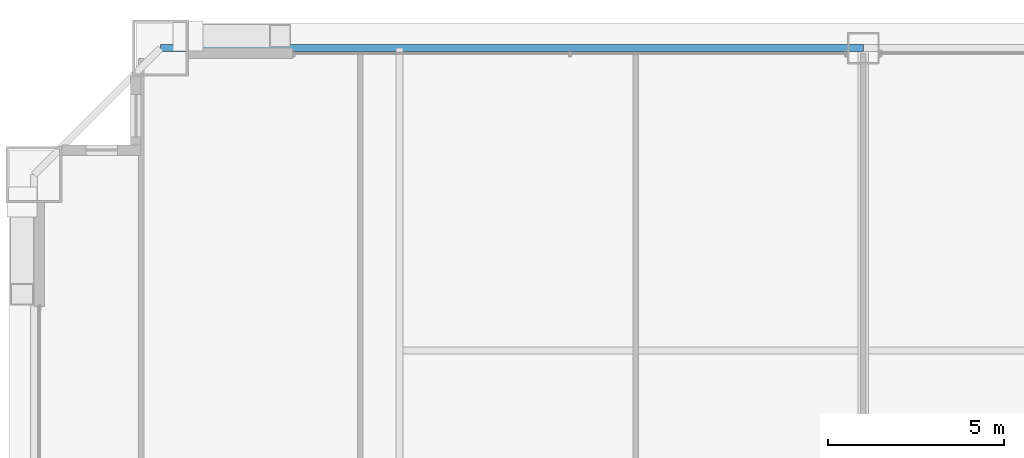
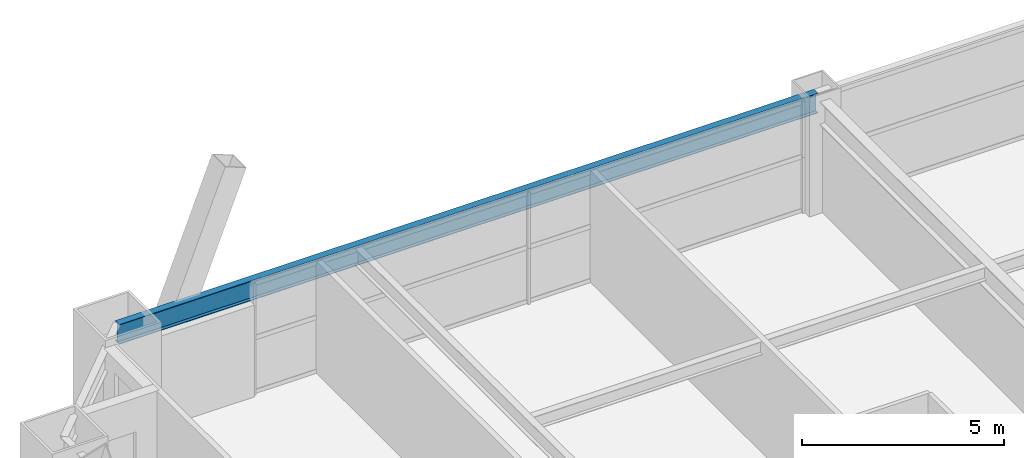
# One storey, part 28 of 43: 1 beam.
"""IFC4 building model written with IfcOpenShell, lengths in metres."""

import ifcopenshell
import ifcopenshell.guid

model = None  # the IFC model being written
_history = None  # IfcOwnerHistory: only IFC2X3 demands one
_inside = {}  # id of a spatial element -> (the spatial element, [elements in it])
_under = {}  # id of a project, library or spatial element -> (it, [spatial elements below it])
_declared = {}  # id of a project -> (the project, [libraries it declares])
_typed = {}  # id of a type object -> (the type object, [elements of that type])
_made_of = {}  # id of a material, layer set ... -> (it, [elements and type objects made of it])


def new_model(schema):
    """Start an empty IFC model of exactly this schema.

    Asked for "IFC4X3", IfcOpenShell would pick the latest addendum, in which some entities
    have other attributes; the version numbers below select the first issue.
    IFC2X3 requires an IfcOwnerHistory on every rooted entity: one is made here for all.
    """
    global model, _history
    if schema == "IFC4X3":
        model = ifcopenshell.file(schema_version=(4, 3, 0, 0))
    else:
        model = ifcopenshell.file(schema=schema)
    _inside.clear()
    _under.clear()
    _declared.clear()
    _typed.clear()
    _made_of.clear()
    _history = None
    if model.schema == "IFC2X3":
        org = make("IfcOrganization", Name="unknown")
        user = make(
            "IfcPersonAndOrganization",
            ThePerson=make("IfcPerson", FamilyName="unknown"),
            TheOrganization=org,
        )
        app = make(
            "IfcApplication",
            ApplicationDeveloper=org,
            Version="unknown",
            ApplicationFullName="unknown",
            ApplicationIdentifier="unknown",
        )
        _history = make(
            "IfcOwnerHistory",
            OwningUser=user,
            OwningApplication=app,
            ChangeAction="ADDED",
            CreationDate=0,
        )
    return model


def make(cls, **values):
    """One entity of the class cls with the attributes given. An attribute that is None is left unset."""
    return model.create_entity(
        cls, **{name: value for name, value in values.items() if value is not None}
    )


def rooted(cls, **values):
    """An entity with a GlobalId (a new one), such as an element, a storey or a relation."""
    return make(cls, GlobalId=ifcopenshell.guid.new(), OwnerHistory=_history, **values)


def si_unit(unit_type, name, prefix=None):
    """IfcSIUnit, for example si_unit("LENGTHUNIT", "METRE", prefix="MILLI")."""
    return make("IfcSIUnit", UnitType=unit_type, Prefix=prefix, Name=name)


def assignment(units):
    """IfcUnitAssignment: the units of a project."""
    return None if units is None else make("IfcUnitAssignment", Units=units)


def point(xyz):
    """IfcCartesianPoint."""
    return None if xyz is None else make("IfcCartesianPoint", Coordinates=xyz)


def direction(xyz):
    """IfcDirection."""
    return None if xyz is None else make("IfcDirection", DirectionRatios=xyz)


def frame(location, z_axis=None, x_axis=None):
    """IfcAxis2Placement3D, a coordinate frame: its origin and axes. An axis left out is left unset."""
    return make(
        "IfcAxis2Placement3D",
        Location=point(location),
        Axis=direction(z_axis),
        RefDirection=direction(x_axis),
    )


def frame_2d(location, x_axis=None):
    """IfcAxis2Placement2D, a coordinate frame in the plane: its origin and x axis."""
    return make(
        "IfcAxis2Placement2D", Location=point(location), RefDirection=direction(x_axis)
    )


def origin():
    """The frame at (0, 0, 0) with its axes left unset."""
    return frame((0.0, 0.0, 0.0))


def origin_2d():
    """The frame at (0, 0) in the plane with its x axis left unset."""
    return frame_2d((0.0, 0.0))


def place(relative_to, where):
    """IfcLocalPlacement: puts the frame where relative to a parent placement (None: the world)."""
    return make(
        "IfcLocalPlacement", PlacementRelTo=relative_to, RelativePlacement=where
    )


def context(
    kind, dimensions, precision=None, world=None, true_north=None, identifier=None
):
    """IfcGeometricRepresentationContext, for example the 3D "Model" context."""
    return make(
        "IfcGeometricRepresentationContext",
        ContextIdentifier=identifier,
        ContextType=kind,
        CoordinateSpaceDimension=dimensions,
        Precision=precision,
        WorldCoordinateSystem=world,
        TrueNorth=true_north,
    )


def subcontext(parent, identifier, kind, view, scale=None):
    """IfcGeometricRepresentationSubContext, for example "Body" below "Model"."""
    return make(
        "IfcGeometricRepresentationSubContext",
        ContextIdentifier=identifier,
        ContextType=kind,
        ParentContext=parent,
        TargetScale=scale,
        TargetView=view,
    )


def project(units=None, contexts=None):
    """IfcProject with its units and contexts."""
    return rooted(
        "IfcProject",
        Name="project",
        RepresentationContexts=contexts,
        UnitsInContext=assignment(units),
    )


def spatial(cls, under=None, at=None, **own):
    """A site, building, storey or space (cls), placed at a placement, below another one or the project."""
    s = rooted(cls, ObjectPlacement=at, **own)
    if under is not None:
        _under.setdefault(under.id(), (under, []))[1].append(s)
    return s


def profile(cls, at=None, kind="AREA", **sizes):
    """A parametric profile (cls). Its sizes go by their IFC names, for example OverallWidth=200.0."""
    return make(cls, ProfileType=kind, Position=at, **sizes)


def i_section(**sizes):
    """IfcIShapeProfileDef."""
    return profile("IfcIShapeProfileDef", **sizes)


def extrude(swept, where, along, depth):
    """IfcExtrudedAreaSolid: the profile swept, set in the frame where, extruded along a direction by depth."""
    return make(
        "IfcExtrudedAreaSolid",
        SweptArea=swept,
        Position=where,
        ExtrudedDirection=direction(along),
        Depth=depth,
    )


def shape(context_of_items, identifier, shape_type, items):
    """IfcShapeRepresentation: the items that make up one representation, for example the "Body"."""
    return make(
        "IfcShapeRepresentation",
        ContextOfItems=context_of_items,
        RepresentationIdentifier=identifier,
        RepresentationType=shape_type,
        Items=items,
    )


def source(mapping_origin, context_of_items, identifier, shape_type, items):
    """IfcRepresentationMap: a shape defined once, which mapped items show again and again."""
    return make(
        "IfcRepresentationMap",
        MappingOrigin=mapping_origin,
        MappedRepresentation=shape(context_of_items, identifier, shape_type, items),
    )


def transform(
    local_origin,
    x_axis=None,
    y_axis=None,
    z_axis=None,
    scale=None,
    scale2=None,
    scale3=None,
    uniform=True,
):
    """IfcCartesianTransformationOperator3D, or its non-uniform kind. x_axis, y_axis, z_axis: its Axis1, 2, 3."""
    if uniform:
        return make(
            "IfcCartesianTransformationOperator3D",
            Axis1=direction(x_axis),
            Axis2=direction(y_axis),
            LocalOrigin=point(local_origin),
            Scale=scale,
            Axis3=direction(z_axis),
        )
    return make(
        "IfcCartesianTransformationOperator3DnonUniform",
        Axis1=direction(x_axis),
        Axis2=direction(y_axis),
        LocalOrigin=point(local_origin),
        Scale=scale,
        Axis3=direction(z_axis),
        Scale2=scale2,
        Scale3=scale3,
    )


def mapped(mapping_source, mapping_target):
    """IfcMappedItem: shows the shape of a source again, moved by a transform."""
    return make(
        "IfcMappedItem", MappingSource=mapping_source, MappingTarget=mapping_target
    )


def material(Name=None, Category=None):
    """IfcMaterial."""
    return make("IfcMaterial", Name=Name, Category=Category)


def material_profile(
    of_material, cross_section, Name=None, Category=None, Priority=None
):
    """IfcMaterialProfile: a cross section and its material."""
    return make(
        "IfcMaterialProfile",
        Name=Name,
        Material=of_material,
        Profile=cross_section,
        Priority=Priority,
        Category=Category,
    )


def profile_set(profiles, Name=None, composite=None):
    """IfcMaterialProfileSet."""
    return make(
        "IfcMaterialProfileSet",
        Name=Name,
        MaterialProfiles=profiles,
        CompositeProfile=composite,
    )


def made_of(thing, what):
    """Note that an element or type object is made of a material, layer set ...; save() writes the relation."""
    if what is not None:
        _made_of.setdefault(what.id(), (what, []))[1].append(thing)
    return thing


def type_object(cls, material=None, **own):
    """A type object (cls), such as IfcWallType, which elements share."""
    return made_of(rooted(cls, **own), material)


def element(
    cls,
    number,
    at=None,
    inside=None,
    cuts=None,
    type_object=None,
    material=None,
    context=None,
    identifier="Body",
    shape_type=None,
    held_by="IfcProductDefinitionShape",
    body=None,
    shapes=None,
    **own,
):
    """One element of the class cls, such as IfcWall. Its Tag is "e" and its number.

    at: its placement. inside: the storey or other place that contains it. cuts: it is an
    opening in that element (IfcRelVoidsElement). A single representation is given by context,
    identifier, shape_type and body (its items); several are given by shapes. held_by: the class
    of the entity that holds the representations. save() writes the other relations.
    """
    e = rooted(cls, Tag="e%d" % number, ObjectPlacement=at, **own)
    if body is not None:
        shapes = [shape(context, identifier, shape_type, body)]
    if shapes is not None:
        e.Representation = make(held_by, Representations=shapes)
    if inside is not None:
        _inside.setdefault(inside.id(), (inside, []))[1].append(e)
    if cuts is not None:
        rooted(
            "IfcRelVoidsElement", RelatingBuildingElement=cuts, RelatedOpeningElement=e
        )
    if type_object is not None:
        _typed.setdefault(type_object.id(), (type_object, []))[1].append(e)
    return made_of(e, material)


def aggregate(whole, parts):
    """IfcRelAggregates: a whole, such as a stair, and the parts it consists of."""
    return rooted("IfcRelAggregates", RelatingObject=whole, RelatedObjects=parts)


def save(model, path):
    """Write the relations noted so far, then the file.

    IfcRelAggregates (storeys below a building ...), IfcRelContainedInSpatialStructure (elements
    in a storey), IfcRelDefinesByType, IfcRelAssociatesMaterial and IfcRelDeclares: one each for
    every whole, place, type object, material and project.
    """
    for whole, parts in _under.values():
        aggregate(whole, parts)
    for where, things in _inside.values():
        rooted(
            "IfcRelContainedInSpatialStructure",
            RelatedElements=things,
            RelatingStructure=where,
        )
    for kind, things in _typed.values():
        rooted("IfcRelDefinesByType", RelatedObjects=things, RelatingType=kind)
    for what, things in _made_of.values():
        rooted("IfcRelAssociatesMaterial", RelatedObjects=things, RelatingMaterial=what)
    for by, libraries in _declared.values():
        rooted("IfcRelDeclares", RelatingContext=by, RelatedDefinitions=libraries)
    model.write(path)


model = new_model("IFC4")

# Units and contexts
model_context = context("Model", 3, precision=1e-05, world=origin(), true_north=direction((0.0, 1.0)))
body_context = subcontext(model_context, "Body", "Model", "MODEL_VIEW")
ifc_project = project(units=[si_unit("LENGTHUNIT", "METRE"), si_unit("AREAUNIT", "SQUARE_METRE"), si_unit("VOLUMEUNIT", "CUBIC_METRE"), si_unit("PLANEANGLEUNIT", "RADIAN"), si_unit("MASSUNIT", "GRAM", prefix="KILO"), si_unit("THERMODYNAMICTEMPERATUREUNIT", "KELVIN"), si_unit("POWERUNIT", "WATT")], contexts=[model_context])

# Site, building, storey
site_placement = place(None, origin())
site = spatial("IfcSite", under=ifc_project, at=site_placement, CompositionType="ELEMENT")
building_placement = place(site_placement, origin())
building = spatial("IfcBuilding", under=site, at=building_placement, Name="Yuzanri Waterfront Tower", CompositionType="ELEMENT")
storey_placement = place(building_placement, frame((0.0, 0.0, 159.60009765625)))
storey = spatial("IfcBuildingStorey", under=building, at=storey_placement, Name="L42", CompositionType="ELEMENT", Elevation=159.60009765625)

# Beam
ifc_material = material(Name="Steel Q355B", Category="steel")
ifc_material_profile = material_profile(ifc_material, i_section(OverallWidth=0.199951171875, OverallDepth=0.60009765625, WebThickness=0.010986328125, FlangeThickness=0.01708984375, at=origin_2d()), Name="HN 600x200x11x17")
ifc_profile_set = profile_set([ifc_material_profile], Name="Steel Q355B")
beam_type = type_object("IfcBeamType", Name="Perimeter Spandrel Q355B HN 600x200", PredefinedType="SPANDREL", material=ifc_profile_set)
shared_shape = source(origin(), body_context, "Body", "SweptSolid", [
    extrude(i_section(OverallWidth=0.199951171875, OverallDepth=0.60009765625, WebThickness=0.010986328125, FlangeThickness=0.01708984375, at=origin_2d()), origin(), (0.0, 0.0, 1.0), 20.0),
])
beam_placement = place(storey_placement, frame((37.0, 49.39990234375, 3.079833984375), z_axis=(-1.0, 0.0, 0.0), x_axis=(0.0, -1.0, 0.0)))
element("IfcBeam", 1, at=beam_placement, inside=storey, type_object=beam_type, Name="L42 Perimeter Spandrel N2-N1", PredefinedType="SPANDREL", context=body_context, shape_type="MappedRepresentation", body=[
    mapped(shared_shape, transform((0.0, 0.0, 0.0), scale=1.0)),
])

save(model, "model.ifc")
